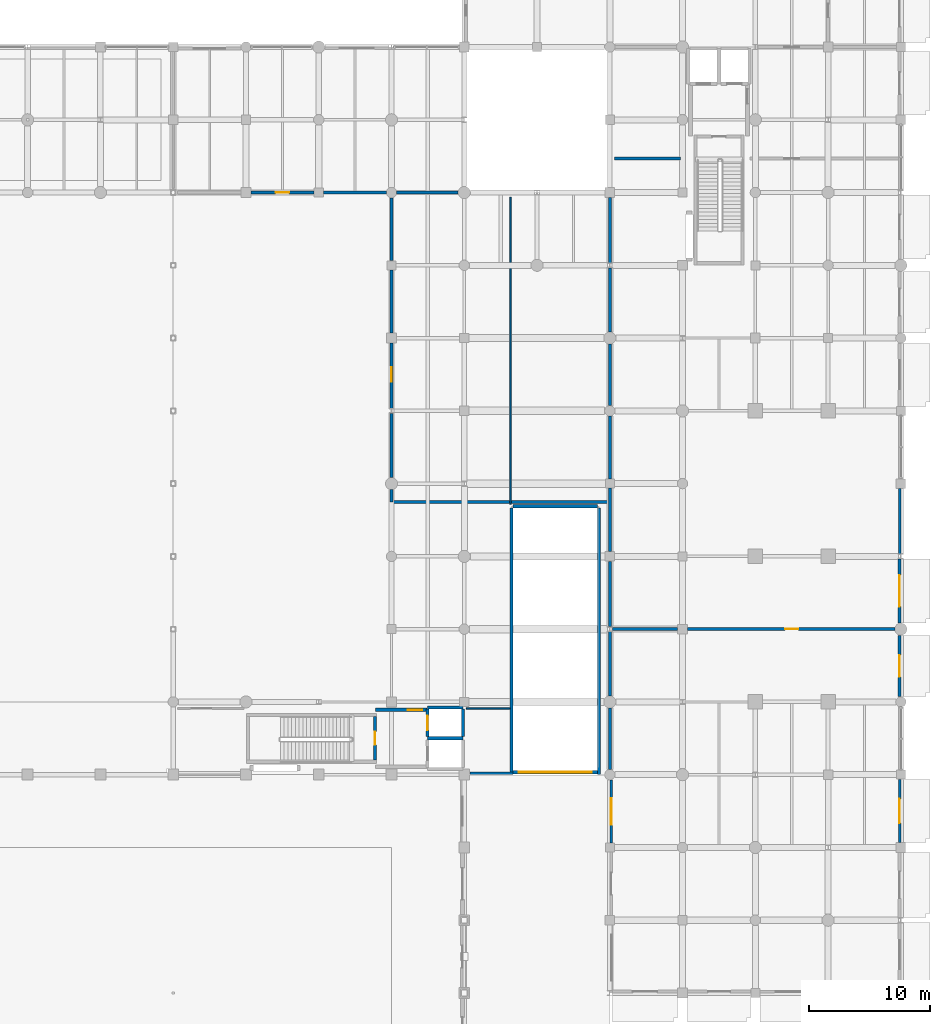
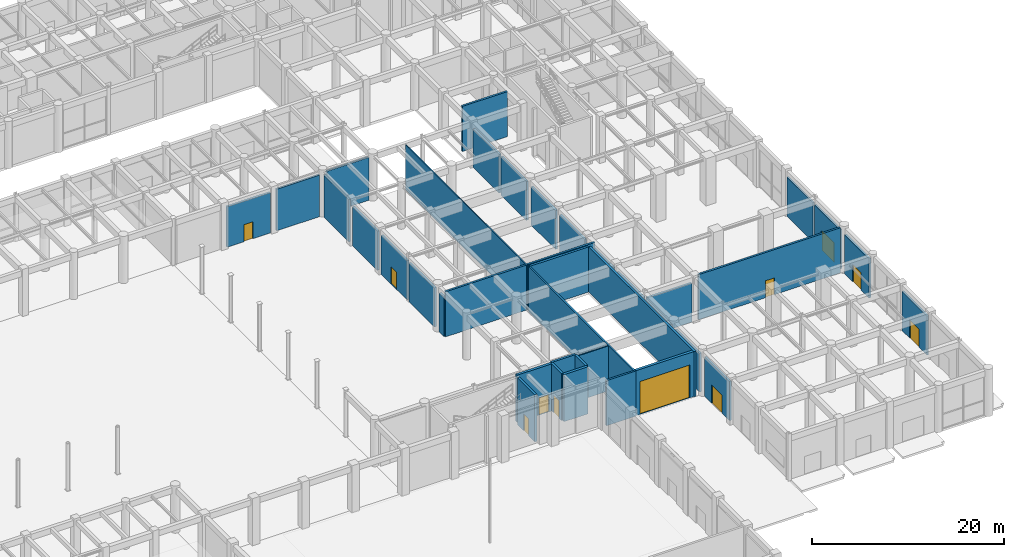
# One storey, part 88 of 106: 38 walls, 11 doors, 11 openings.
"""IFC4 building model written with IfcOpenShell, lengths in metres."""

from ifc_helpers import new_model, si_unit, direction, frame, frame_2d, origin, place, context, subcontext, project, spatial, rectangle, extrude, material, layer, layer_set, type_object, element, fill, save


model = new_model("IFC4")

# Units and contexts
model_context = context("Model", 3, precision=1e-05, world=origin(), true_north=direction((0.0, 1.0)))
body_context = subcontext(model_context, "Body", "Model", "MODEL_VIEW")
ifc_project = project(units=[si_unit("LENGTHUNIT", "METRE"), si_unit("AREAUNIT", "SQUARE_METRE"), si_unit("VOLUMEUNIT", "CUBIC_METRE"), si_unit("PLANEANGLEUNIT", "RADIAN"), si_unit("MASSUNIT", "GRAM", prefix="KILO"), si_unit("THERMODYNAMICTEMPERATUREUNIT", "KELVIN"), si_unit("POWERUNIT", "WATT")], contexts=[model_context])

# Site, building, storey
site_placement = place(None, origin())
site = spatial("IfcSite", under=ifc_project, at=site_placement, CompositionType="ELEMENT")
building_placement = place(site_placement, origin())
building = spatial("IfcBuilding", under=site, at=building_placement, Name="Phaisarnlok Congress Hotel", CompositionType="ELEMENT")
storey_placement = place(building_placement, origin())
storey = spatial("IfcBuildingStorey", under=building, at=storey_placement, Name="L00", CompositionType="ELEMENT", Elevation=0.0)

# Wall
ifc_material_1 = material(Name="Concrete C40/50", Category="concrete")
ifc_layer_1 = layer(ifc_material_1, 0.2099609375, Name="Concrete C40/50")
ifc_layer_set_1 = layer_set([ifc_layer_1], Name="Concrete C40/50")
wall_type_1 = type_object("IfcWallType", Name="WL-EXT-210", PredefinedType="SOLIDWALL", material=ifc_layer_set_1)
wall_1_placement = place(storey_placement, frame((147.89501953125, 36.0, 0.0), z_axis=(0.0, 0.0, 1.0), x_axis=(0.0, 1.0, 0.0)))
element("IfcWall", 1, at=wall_1_placement, inside=storey, type_object=wall_type_1, Name="Exterior wall EW-07 (L00)", PredefinedType="SOLIDWALL", context=body_context, shape_type="SweptSolid", body=[
    extrude(rectangle(XDim=22.0, YDim=0.2099609375, at=frame_2d((11.0, 0.0))), origin(), (0.0, 0.0, 1.0), 5.739990234375),
])

# Wall, opening, door
wall_2_placement = place(storey_placement, frame((179.89501953125, 30.405029296875, 0.0), z_axis=(0.0, 0.0, 1.0), x_axis=(0.0, 1.0, 0.0)))
wall_2 = element("IfcWall", 2, at=wall_2_placement, inside=storey, type_object=wall_type_1, Name="Exterior wall EW-07 (L00)", PredefinedType="SOLIDWALL", context=body_context, shape_type="SweptSolid", body=[
    extrude(rectangle(XDim=5.215087890625, YDim=0.2099609375, at=frame_2d((2.607421875, 0.0))), origin(), (0.0, 0.0, 1.0), 4.989990234375),
])
opening_1_placement = place(wall_2_placement, frame((1.60693359375, 0.0, 0.0)))
opening_1 = element("IfcOpeningElement", 3, at=opening_1_placement, cuts=wall_2, Name="Opening FE-21", PredefinedType="OPENING", context=body_context, shape_type="SweptSolid", body=[
    extrude(rectangle(XDim=2.0, YDim=2.300048828125, at=frame_2d((1.0, 1.14990234375))), frame((0.0, 0.114990234375, 0.0), z_axis=(0.0, -1.0, 0.0), x_axis=(1.0, 0.0, 0.0)), (0.0, 0.0, 1.0), 0.22998046875),
])
ifc_material_2 = material(Name="Powder-Coated Steel & Laminated Safety Glass", Category="steel")
door_type_1 = type_object("IfcDoorType", Name="DR-EXIT-2000", OperationType="DOUBLE_DOOR_SINGLE_SWING", PredefinedType="DOOR", material=ifc_material_2)
door_1_placement = place(opening_1_placement, frame((2.0, 0.0, 0.0), z_axis=(0.0, 0.0, 1.0), x_axis=(-1.0, 0.0, 0.0)))
door_1 = element("IfcDoor", 4, at=door_1_placement, inside=storey, type_object=door_type_1, Name="Ground final exit door FE-21", OperationType="SINGLE_SWING_LEFT", OverallHeight=2.300048828125, OverallWidth=2.0, PredefinedType="DOOR", context=body_context, shape_type="SweptSolid", body=[
    extrude(rectangle(XDim=2.0, YDim=2.300048828125, at=frame_2d((1.0, 1.14990234375))), frame((0.0, 0.02490234375, 0.0), z_axis=(0.0, -1.0, 0.0), x_axis=(1.0, 0.0, 0.0)), (0.0, 0.0, 1.0), 0.050048828125),
])
fill(opening_1, door_1)

# Walls
wall_3_placement = place(storey_placement, frame((179.89501953125, 54.20458984375, 0.0), z_axis=(0.0, 0.0, 1.0), x_axis=(0.0, 1.0, 0.0)))
element("IfcWall", 5, at=wall_3_placement, inside=storey, type_object=wall_type_1, Name="Exterior wall EW-07 (L00)", PredefinedType="SOLIDWALL", context=body_context, shape_type="SweptSolid", body=[
    extrude(rectangle(XDim=5.390380859375, YDim=0.2099609375, at=frame_2d((2.6953125, 0.0))), origin(), (0.0, 0.0, 1.0), 4.989990234375),
])
ifc_layer_2 = layer(ifc_material_1, 0.22998046875, Name="Concrete C40/50")
ifc_layer_set_2 = layer_set([ifc_layer_2], Name="Concrete C40/50")
wall_type_2 = type_object("IfcWallType", Name="WL-EXT-230", PredefinedType="SOLIDWALL", material=ifc_layer_set_2)
wall_4_placement = place(storey_placement, frame((144.455078125, 36.114990234375, 0.0), z_axis=(0.0, 0.0, 1.0), x_axis=(1.0, 0.0, 0.0)))
element("IfcWall", 6, at=wall_4_placement, inside=storey, type_object=wall_type_2, Name="Exterior wall EW-06 (L00)", PredefinedType="SOLIDWALL", context=body_context, shape_type="SweptSolid", body=[
    extrude(rectangle(XDim=3.544921875, YDim=0.22998046875, at=frame_2d((1.7724609375, 0.0))), origin(), (0.0, 0.0, 1.0), 5.739990234375),
])

# Wall, opening, door
wall_5_placement = place(storey_placement, frame((156.114990234375, 35.570068359375, 0.0), z_axis=(0.0, 0.0, 1.0), x_axis=(0.0, -1.0, 0.0)))
wall_5 = element("IfcWall", 7, at=wall_5_placement, inside=storey, type_object=wall_type_2, Name="Exterior wall EW-06 (L00)", PredefinedType="SOLIDWALL", context=body_context, shape_type="SweptSolid", body=[
    extrude(rectangle(XDim=5.190185546875, YDim=0.22998046875, at=frame_2d((2.59521484375, 0.0))), origin(), (0.0, 0.0, 1.0), 5.010009765625),
])
opening_2_placement = place(wall_5_placement, frame((1.4951171875, 0.0, 0.0)))
opening_2 = element("IfcOpeningElement", 8, at=opening_2_placement, cuts=wall_5, Name="Opening FE-15", PredefinedType="OPENING", context=body_context, shape_type="SweptSolid", body=[
    extrude(rectangle(XDim=2.199951171875, YDim=2.35009765625, at=frame_2d((1.10009765625, 1.175048828125))), frame((0.0, 0.125, 0.0), z_axis=(0.0, -1.0, 0.0), x_axis=(1.0, 0.0, 0.0)), (0.0, 0.0, 1.0), 0.25),
])
door_type_2 = type_object("IfcDoorType", Name="DR-EXIT-2200", OperationType="DOUBLE_DOOR_SINGLE_SWING", PredefinedType="DOOR", material=ifc_material_2)
door_2_placement = place(opening_2_placement, frame((2.199951171875, 0.0, 0.0), z_axis=(0.0, 0.0, 1.0), x_axis=(-1.0, 0.0, 0.0)))
door_2 = element("IfcDoor", 9, at=door_2_placement, inside=storey, type_object=door_type_2, Name="Ground final exit door FE-15", OperationType="SINGLE_SWING_LEFT", OverallHeight=2.35009765625, OverallWidth=2.199951171875, PredefinedType="DOOR", context=body_context, shape_type="SweptSolid", body=[
    extrude(rectangle(XDim=2.199951171875, YDim=2.35009765625, at=frame_2d((1.10009765625, 1.175048828125))), frame((0.0, 0.02490234375, 0.0), z_axis=(0.0, -1.0, 0.0), x_axis=(1.0, 0.0, 0.0)), (0.0, 0.0, 1.0), 0.050048828125),
])
fill(opening_2, door_2)

wall_6_placement = place(storey_placement, frame((179.885009765625, 48.5048828125, 0.0), z_axis=(0.0, 0.0, 1.0), x_axis=(0.0, 1.0, 0.0)))
wall_6 = element("IfcWall", 10, at=wall_6_placement, inside=storey, type_object=wall_type_2, Name="Exterior wall EW-06 (L00)", PredefinedType="SOLIDWALL", context=body_context, shape_type="SweptSolid", body=[
    extrude(rectangle(XDim=5.29052734375, YDim=0.22998046875, at=frame_2d((2.645263671875, 0.0))), origin(), (0.0, 0.0, 1.0), 4.989990234375),
])
opening_3_placement = place(wall_6_placement, frame((1.344970703125, 0.0, 0.0)))
opening_3 = element("IfcOpeningElement", 11, at=opening_3_placement, cuts=wall_6, Name="Opening FE-23", PredefinedType="OPENING", context=body_context, shape_type="SweptSolid", body=[
    extrude(rectangle(XDim=2.60009765625, YDim=2.5, at=frame_2d((1.300048828125, 1.25))), frame((0.0, 0.125, 0.0), z_axis=(0.0, -1.0, 0.0), x_axis=(1.0, 0.0, 0.0)), (0.0, 0.0, 1.0), 0.25),
])
door_type_3 = type_object("IfcDoorType", Name="DR-ENTR-2600", OperationType="DOUBLE_DOOR_SLIDING", PredefinedType="DOOR", material=ifc_material_2)
door_3_placement = place(opening_3_placement, frame((2.60009765625, 0.0, 0.0), z_axis=(0.0, 0.0, 1.0), x_axis=(-1.0, 0.0, 0.0)))
door_3 = element("IfcDoor", 12, at=door_3_placement, inside=storey, type_object=door_type_3, Name="Ground final exit door FE-23", OperationType="SINGLE_SWING_LEFT", OverallHeight=2.5, OverallWidth=2.60009765625, PredefinedType="DOOR", context=body_context, shape_type="SweptSolid", body=[
    extrude(rectangle(XDim=2.60009765625, YDim=2.5, at=frame_2d((1.300048828125, 1.25))), frame((0.0, 0.02490234375, 0.0), z_axis=(0.0, -1.0, 0.0), x_axis=(1.0, 0.0, 0.0)), (0.0, 0.0, 1.0), 0.050048828125),
])
fill(opening_3, door_3)

# Wall
ifc_layer_3 = layer(ifc_material_1, 0.25, Name="Concrete C40/50")
ifc_layer_set_3 = layer_set([ifc_layer_3], Name="Concrete C40/50")
wall_type_3 = type_object("IfcWallType", Name="WL-EXT-250", PredefinedType="SOLIDWALL", material=ifc_layer_set_3)
wall_7_placement = place(storey_placement, frame((155.125, 58.0, 0.0), z_axis=(0.0, 0.0, 1.0), x_axis=(0.0, -1.0, 0.0)))
element("IfcWall", 13, at=wall_7_placement, inside=storey, type_object=wall_type_3, Name="Exterior wall EW-05 (L00)", PredefinedType="SOLIDWALL", context=body_context, shape_type="SweptSolid", body=[
    extrude(rectangle(XDim=22.0, YDim=0.25, at=frame_2d((11.0, 0.0))), origin(), (0.0, 0.0, 1.0), 5.739990234375),
])

# Wall, opening, door
wall_8_placement = place(storey_placement, frame((179.875, 42.429931640625, 0.0), z_axis=(0.0, 0.0, 1.0), x_axis=(0.0, 1.0, 0.0)))
wall_8 = element("IfcWall", 14, at=wall_8_placement, inside=storey, type_object=wall_type_3, Name="Exterior wall EW-05 (L00)", PredefinedType="SOLIDWALL", context=body_context, shape_type="SweptSolid", body=[
    extrude(rectangle(XDim=5.065185546875, YDim=0.25, at=frame_2d((2.53271484375, 0.0))), origin(), (0.0, 0.0, 1.0), 4.989990234375),
])
opening_4_placement = place(wall_8_placement, frame((1.632080078125, 0.0, 0.0)))
opening_4 = element("IfcOpeningElement", 15, at=opening_4_placement, cuts=wall_8, Name="Opening FE-22", PredefinedType="OPENING", context=body_context, shape_type="SweptSolid", body=[
    extrude(rectangle(XDim=1.800048828125, YDim=2.25, at=frame_2d((0.89990234375, 1.125))), frame((0.0, 0.135009765625, 0.0), z_axis=(0.0, -1.0, 0.0), x_axis=(1.0, 0.0, 0.0)), (0.0, 0.0, 1.0), 0.27001953125),
])
door_type_4 = type_object("IfcDoorType", Name="DR-EXIT-1800", OperationType="DOUBLE_DOOR_SINGLE_SWING", PredefinedType="DOOR", material=ifc_material_2)
door_4_placement = place(opening_4_placement, frame((1.800048828125, 0.0, 0.0), z_axis=(0.0, 0.0, 1.0), x_axis=(-1.0, 0.0, 0.0)))
door_4 = element("IfcDoor", 16, at=door_4_placement, inside=storey, type_object=door_type_4, Name="Ground final exit door FE-22", OperationType="SINGLE_SWING_LEFT", OverallHeight=2.25, OverallWidth=1.800048828125, PredefinedType="DOOR", context=body_context, shape_type="SweptSolid", body=[
    extrude(rectangle(XDim=1.800048828125, YDim=2.25, at=frame_2d((0.89990234375, 1.125))), frame((0.0, 0.02490234375, 0.0), z_axis=(0.0, -1.0, 0.0), x_axis=(1.0, 0.0, 0.0)), (0.0, 0.0, 1.0), 0.050048828125),
])
fill(opening_4, door_4)

# Wall
ifc_layer_4 = layer(ifc_material_1, 0.27001953125, Name="Concrete C40/50")
ifc_layer_set_4 = layer_set([ifc_layer_4], Name="Concrete C40/50")
wall_type_4 = type_object("IfcWallType", Name="WL-EXT-270", PredefinedType="SOLIDWALL", material=ifc_layer_set_4)
wall_9_placement = place(storey_placement, frame((148.0, 58.135009765625, 0.0), z_axis=(0.0, 0.0, 1.0), x_axis=(1.0, 0.0, 0.0)))
element("IfcWall", 17, at=wall_9_placement, inside=storey, type_object=wall_type_4, Name="Exterior wall EW-04 (L00)", PredefinedType="SOLIDWALL", context=body_context, shape_type="SweptSolid", body=[
    extrude(rectangle(XDim=7.0, YDim=0.27001953125, at=frame_2d((3.5, 0.0))), origin(), (0.0, 0.0, 1.0), 5.739990234375),
])

# Wall, opening, door
ifc_layer_5 = layer(ifc_material_1, 0.320068359375, Name="Concrete C40/50")
ifc_layer_set_5 = layer_set([ifc_layer_5], Name="Concrete C40/50")
wall_type_5 = type_object("IfcWallType", Name="WL-EXT-320", PredefinedType="SOLIDWALL", material=ifc_layer_set_5)
wall_10_placement = place(storey_placement, frame((155.0, 36.199951171875, 0.0), z_axis=(0.0, 0.0, 1.0), x_axis=(-1.0, 0.0, 0.0)))
wall_10 = element("IfcWall", 18, at=wall_10_placement, inside=storey, type_object=wall_type_5, Name="Vehicle ramp portal exterior wall EW-02", PredefinedType="SOLIDWALL", context=body_context, shape_type="SweptSolid", body=[
    extrude(rectangle(XDim=7.0, YDim=0.320068359375, at=frame_2d((3.5, 0.0))), origin(), (0.0, 0.0, 1.0), 5.739990234375),
])
opening_5_placement = place(wall_10_placement, frame((0.5, 0.0, 0.0)))
opening_5 = element("IfcOpeningElement", 19, at=opening_5_placement, cuts=wall_10, Name="Opening VG-01", PredefinedType="OPENING", context=body_context, shape_type="SweptSolid", body=[
    extrude(rectangle(XDim=6.0, YDim=4.199951171875, at=frame_2d((3.0, 2.10009765625))), frame((0.0, 0.169921875, 0.0), z_axis=(0.0, -1.0, 0.0), x_axis=(1.0, 0.0, 0.0)), (0.0, 0.0, 1.0), 0.340087890625),
])
ifc_material_3 = material(Name="Powder-Coated Galvanised Roller Shutter Slats", Category="steel")
door_type_5 = type_object("IfcDoorType", Name="DR-VEH-6000", OperationType="ROLLINGUP", PredefinedType="DOOR", material=ifc_material_3)
door_5_placement = place(opening_5_placement, frame((6.0, 0.0, 0.0), z_axis=(0.0, 0.0, 1.0), x_axis=(-1.0, 0.0, 0.0)))
door_5 = element("IfcDoor", 20, at=door_5_placement, inside=storey, type_object=door_type_5, Name="Vehicle ramp roller shutter gate VG-01", OperationType="ROLLINGUP", OverallHeight=4.199951171875, OverallWidth=6.0, PredefinedType="DOOR", context=body_context, shape_type="SweptSolid", body=[
    extrude(rectangle(XDim=6.0, YDim=4.199951171875, at=frame_2d((3.0, 2.10009765625))), frame((0.0, 0.02490234375, 0.0), z_axis=(0.0, -1.0, 0.0), x_axis=(1.0, 0.0, 0.0)), (0.0, 0.0, 1.0), 0.050048828125),
])
fill(opening_5, door_5)

# Walls
ifc_material_4 = material(Name="Lightweight Metal-Stud Gypsum Partition", Category="gypsum")
ifc_layer_6 = layer(ifc_material_4, 0.1201171875, Name="Lightweight Metal-Stud Gypsum Partition")
ifc_layer_set_6 = layer_set([ifc_layer_6], Name="Lightweight Metal-Stud Gypsum Partition")
wall_type_6 = type_object("IfcWallType", Name="WL-INT-120", PredefinedType="PARTITIONING", material=ifc_layer_set_6)
wall_11_placement = place(storey_placement, frame((147.800048828125, 58.31103515625, 0.0), z_axis=(0.0, 0.0, 1.0), x_axis=(0.0, 1.0, 0.0)))
element("IfcWall", 21, at=wall_11_placement, inside=storey, type_object=wall_type_6, Name="Interior partition wall IW-07 (L00)", PredefinedType="PARTITIONING", context=body_context, shape_type="SweptSolid", body=[
    extrude(rectangle(XDim=25.31884765625, YDim=0.1201171875, at=frame_2d((12.659423828125, 0.0))), origin(), (0.0, 0.0, 1.0), 5.739990234375),
])
ifc_material_5 = material(Name="Moisture-Resistant Gypsum Partition", Category="gypsum")
ifc_layer_7 = layer(ifc_material_5, 0.135009765625, Name="Moisture-Resistant Gypsum Partition")
ifc_layer_set_7 = layer_set([ifc_layer_7], Name="Moisture-Resistant Gypsum Partition")
wall_type_7 = type_object("IfcWallType", Name="WL-INT-135", PredefinedType="PARTITIONING", material=ifc_layer_set_7)
wall_12_placement = place(storey_placement, frame((144.179931640625, 41.449951171875, 0.0), z_axis=(0.0, 0.0, 1.0), x_axis=(1.0, 0.0, 0.0)))
element("IfcWall", 22, at=wall_12_placement, inside=storey, type_object=wall_type_7, Name="Interior partition wall IW-06 (L00)", PredefinedType="PARTITIONING", context=body_context, shape_type="SweptSolid", body=[
    extrude(rectangle(XDim=3.60498046875, YDim=0.135009765625, at=frame_2d((1.802490234375, 0.0))), origin(), (0.0, 0.0, 1.0), 5.739990234375),
])
ifc_layer_8 = layer(ifc_material_1, 0.239990234375, Name="Concrete C40/50")
ifc_layer_set_8 = layer_set([ifc_layer_8], Name="Concrete C40/50")
wall_type_8 = type_object("IfcWallType", Name="WL-INT-240", PredefinedType="PARTITIONING", material=ifc_layer_set_8)
wall_13_placement = place(storey_placement, frame((138.0, 58.5, 0.0), z_axis=(0.0, 0.0, 1.0), x_axis=(0.0, 1.0, 0.0)))
element("IfcWall", 23, at=wall_13_placement, inside=storey, type_object=wall_type_8, Name="Interior partition wall IW-01 (L00)", PredefinedType="PARTITIONING", context=body_context, shape_type="SweptSolid", body=[
    extrude(rectangle(XDim=0.9951171875, YDim=0.239990234375, at=frame_2d((0.49755859375, 0.0))), origin(), (0.0, 0.0, 1.0), 4.989990234375),
])
wall_14_placement = place(storey_placement, frame((138.0, 60.5048828125, 0.0), z_axis=(0.0, 0.0, 1.0), x_axis=(0.0, 1.0, 0.0)))
element("IfcWall", 24, at=wall_14_placement, inside=storey, type_object=wall_type_8, Name="Interior partition wall IW-01 (L00)", PredefinedType="PARTITIONING", context=body_context, shape_type="SweptSolid", body=[
    extrude(rectangle(XDim=5.29052734375, YDim=0.239990234375, at=frame_2d((2.645263671875, 0.0))), origin(), (0.0, 0.0, 1.0), 4.989990234375),
])

# Wall, opening, door
wall_15_placement = place(storey_placement, frame((138.0, 66.20458984375, 0.0), z_axis=(0.0, 0.0, 1.0), x_axis=(0.0, 1.0, 0.0)))
wall_15 = element("IfcWall", 25, at=wall_15_placement, inside=storey, type_object=wall_type_8, Name="Interior partition wall IW-01 (L00)", PredefinedType="PARTITIONING", context=body_context, shape_type="SweptSolid", body=[
    extrude(rectangle(XDim=5.390380859375, YDim=0.239990234375, at=frame_2d((2.6953125, 0.0))), origin(), (0.0, 0.0, 1.0), 4.989990234375),
])
opening_6_placement = place(wall_15_placement, frame((2.196044921875, 0.0, 0.0)))
opening_6 = element("IfcOpeningElement", 26, at=opening_6_placement, cuts=wall_15, Name="Opening D-0038", PredefinedType="OPENING", context=body_context, shape_type="SweptSolid", body=[
    extrude(rectangle(XDim=1.199951171875, YDim=2.199951171875, at=frame_2d((0.60009765625, 1.10009765625))), frame((0.0, 0.1298828125, 0.0), z_axis=(0.0, -1.0, 0.0), x_axis=(1.0, 0.0, 0.0)), (0.0, 0.0, 1.0), 0.260009765625),
])
ifc_material_6 = material(Name="Fire-Rated Steel Frame & Timber Leaf", Category="steel")
door_type_6 = type_object("IfcDoorType", Name="DR-FD60-1200", OperationType="NOTDEFINED", PredefinedType="DOOR", material=ifc_material_6)
door_6_placement = place(opening_6_placement, origin())
door_6 = element("IfcDoor", 27, at=door_6_placement, inside=storey, type_object=door_type_6, Name="Interior door D-0038 (L00)", OperationType="SINGLE_SWING_LEFT", OverallHeight=2.199951171875, OverallWidth=1.199951171875, PredefinedType="DOOR", context=body_context, shape_type="SweptSolid", body=[
    extrude(rectangle(XDim=1.199951171875, YDim=2.199951171875, at=frame_2d((0.60009765625, 1.10009765625))), frame((0.0, 0.02490234375, 0.0), z_axis=(0.0, -1.0, 0.0), x_axis=(1.0, 0.0, 0.0)), (0.0, 0.0, 1.0), 0.050048828125),
])
fill(opening_6, door_6)

# Walls
wall_16_placement = place(storey_placement, frame((138.0, 72.405029296875, 0.0), z_axis=(0.0, 0.0, 1.0), x_axis=(0.0, 1.0, 0.0)))
element("IfcWall", 28, at=wall_16_placement, inside=storey, type_object=wall_type_8, Name="Interior partition wall IW-01 (L00)", PredefinedType="PARTITIONING", context=body_context, shape_type="SweptSolid", body=[
    extrude(rectangle(XDim=5.215087890625, YDim=0.239990234375, at=frame_2d((2.607421875, 0.0))), origin(), (0.0, 0.0, 1.0), 4.989990234375),
])
wall_17_placement = place(storey_placement, frame((138.0, 78.3798828125, 0.0), z_axis=(0.0, 0.0, 1.0), x_axis=(0.0, 1.0, 0.0)))
element("IfcWall", 29, at=wall_17_placement, inside=storey, type_object=wall_type_8, Name="Interior partition wall IW-01 (L00)", PredefinedType="PARTITIONING", context=body_context, shape_type="SweptSolid", body=[
    extrude(rectangle(XDim=5.190185546875, YDim=0.239990234375, at=frame_2d((2.59521484375, 0.0))), origin(), (0.0, 0.0, 1.0), 5.39990234375),
])
wall_18_placement = place(storey_placement, frame((156.0, 36.429931640625, 0.0), z_axis=(0.0, 0.0, 1.0), x_axis=(0.0, 1.0, 0.0)))
element("IfcWall", 30, at=wall_18_placement, inside=storey, type_object=wall_type_8, Name="Interior partition wall IW-01 (L00)", PredefinedType="PARTITIONING", context=body_context, shape_type="SweptSolid", body=[
    extrude(rectangle(XDim=5.065185546875, YDim=0.239990234375, at=frame_2d((2.53271484375, 0.0))), origin(), (0.0, 0.0, 1.0), 4.93994140625),
])
wall_19_placement = place(storey_placement, frame((156.0, 42.5048828125, 0.0), z_axis=(0.0, 0.0, 1.0), x_axis=(0.0, 1.0, 0.0)))
element("IfcWall", 31, at=wall_19_placement, inside=storey, type_object=wall_type_8, Name="Interior partition wall IW-01 (L00)", PredefinedType="PARTITIONING", context=body_context, shape_type="SweptSolid", body=[
    extrude(rectangle(XDim=5.29052734375, YDim=0.239990234375, at=frame_2d((2.645263671875, 0.0))), origin(), (0.0, 0.0, 1.0), 4.93994140625),
])
wall_20_placement = place(storey_placement, frame((156.0, 48.20458984375, 0.0), z_axis=(0.0, 0.0, 1.0), x_axis=(0.0, 1.0, 0.0)))
element("IfcWall", 32, at=wall_20_placement, inside=storey, type_object=wall_type_8, Name="Interior partition wall IW-01 (L00)", PredefinedType="PARTITIONING", context=body_context, shape_type="SweptSolid", body=[
    extrude(rectangle(XDim=5.390380859375, YDim=0.239990234375, at=frame_2d((2.6953125, 0.0))), origin(), (0.0, 0.0, 1.0), 4.93994140625),
])
wall_21_placement = place(storey_placement, frame((156.0, 54.405029296875, 0.0), z_axis=(0.0, 0.0, 1.0), x_axis=(0.0, 1.0, 0.0)))
element("IfcWall", 33, at=wall_21_placement, inside=storey, type_object=wall_type_8, Name="Interior partition wall IW-01 (L00)", PredefinedType="PARTITIONING", context=body_context, shape_type="SweptSolid", body=[
    extrude(rectangle(XDim=5.215087890625, YDim=0.239990234375, at=frame_2d((2.607421875, 0.0))), origin(), (0.0, 0.0, 1.0), 4.93994140625),
])
wall_22_placement = place(storey_placement, frame((156.0, 60.3798828125, 0.0), z_axis=(0.0, 0.0, 1.0), x_axis=(0.0, 1.0, 0.0)))
element("IfcWall", 34, at=wall_22_placement, inside=storey, type_object=wall_type_8, Name="Interior partition wall IW-01 (L00)", PredefinedType="PARTITIONING", context=body_context, shape_type="SweptSolid", body=[
    extrude(rectangle(XDim=5.190185546875, YDim=0.239990234375, at=frame_2d((2.59521484375, 0.0))), origin(), (0.0, 0.0, 1.0), 4.93994140625),
])
wall_23_placement = place(storey_placement, frame((156.0, 66.429931640625, 0.0), z_axis=(0.0, 0.0, 1.0), x_axis=(0.0, 1.0, 0.0)))
element("IfcWall", 35, at=wall_23_placement, inside=storey, type_object=wall_type_8, Name="Interior partition wall IW-01 (L00)", PredefinedType="PARTITIONING", context=body_context, shape_type="SweptSolid", body=[
    extrude(rectangle(XDim=5.065185546875, YDim=0.239990234375, at=frame_2d((2.53271484375, 0.0))), origin(), (0.0, 0.0, 1.0), 4.93994140625),
])
wall_24_placement = place(storey_placement, frame((156.0, 72.5048828125, 0.0), z_axis=(0.0, 0.0, 1.0), x_axis=(0.0, 1.0, 0.0)))
element("IfcWall", 36, at=wall_24_placement, inside=storey, type_object=wall_type_8, Name="Interior partition wall IW-01 (L00)", PredefinedType="PARTITIONING", context=body_context, shape_type="SweptSolid", body=[
    extrude(rectangle(XDim=5.29052734375, YDim=0.239990234375, at=frame_2d((2.645263671875, 0.0))), origin(), (0.0, 0.0, 1.0), 4.93994140625),
])
wall_25_placement = place(storey_placement, frame((156.0, 78.20458984375, 0.0), z_axis=(0.0, 0.0, 1.0), x_axis=(0.0, 1.0, 0.0)))
element("IfcWall", 37, at=wall_25_placement, inside=storey, type_object=wall_type_8, Name="Interior partition wall IW-01 (L00)", PredefinedType="PARTITIONING", context=body_context, shape_type="SweptSolid", body=[
    extrude(rectangle(XDim=5.390380859375, YDim=0.239990234375, at=frame_2d((2.6953125, 0.0))), origin(), (0.0, 0.0, 1.0), 4.93994140625),
])
wall_26_placement = place(storey_placement, frame((156.20556640625, 48.0, 0.0), z_axis=(0.0, 0.0, 1.0), x_axis=(1.0, 0.0, 0.0)))
element("IfcWall", 38, at=wall_26_placement, inside=storey, type_object=wall_type_8, Name="Interior partition wall IW-01 (L00)", PredefinedType="PARTITIONING", context=body_context, shape_type="SweptSolid", body=[
    extrude(rectangle(XDim=5.389404296875, YDim=0.239990234375, at=frame_2d((2.69482421875, 0.0))), origin(), (0.0, 0.0, 1.0), 4.9599609375),
])

# Wall, opening, door
wall_27_placement = place(storey_placement, frame((162.405029296875, 48.0, 0.0), z_axis=(0.0, 0.0, 1.0), x_axis=(1.0, 0.0, 0.0)))
wall_27 = element("IfcWall", 39, at=wall_27_placement, inside=storey, type_object=wall_type_8, Name="Interior partition wall IW-01 (L00)", PredefinedType="PARTITIONING", context=body_context, shape_type="SweptSolid", body=[
    extrude(rectangle(XDim=17.090087890625, YDim=0.239990234375, at=frame_2d((8.544921875, 0.0))), origin(), (0.0, 0.0, 1.0), 5.739990234375),
])
opening_7_placement = place(wall_27_placement, frame((8.044921875, 0.0, 0.0)))
opening_7 = element("IfcOpeningElement", 40, at=opening_7_placement, cuts=wall_27, Name="Opening D-0042", PredefinedType="OPENING", context=body_context, shape_type="SweptSolid", body=[
    extrude(rectangle(XDim=1.10009765625, YDim=2.14990234375, at=frame_2d((0.550048828125, 1.074951171875))), frame((0.0, 0.1298828125, 0.0), z_axis=(0.0, -1.0, 0.0), x_axis=(1.0, 0.0, 0.0)), (0.0, 0.0, 1.0), 0.260009765625),
])
door_type_7 = type_object("IfcDoorType", Name="DR-FD60-1100", OperationType="NOTDEFINED", PredefinedType="DOOR", material=ifc_material_6)
door_7_placement = place(opening_7_placement, origin())
door_7 = element("IfcDoor", 41, at=door_7_placement, inside=storey, type_object=door_type_7, Name="Interior door D-0042 (L00)", OperationType="SINGLE_SWING_RIGHT", OverallHeight=2.14990234375, OverallWidth=1.10009765625, PredefinedType="DOOR", context=body_context, shape_type="SweptSolid", body=[
    extrude(rectangle(XDim=1.10009765625, YDim=2.14990234375, at=frame_2d((0.550048828125, 1.074951171875))), frame((0.0, 0.02490234375, 0.0), z_axis=(0.0, -1.0, 0.0), x_axis=(1.0, 0.0, 0.0)), (0.0, 0.0, 1.0), 0.050048828125),
])
fill(opening_7, door_7)

# Wall
wall_28_placement = place(storey_placement, frame((138.0, 58.5, 0.0), z_axis=(0.0, 0.0, 1.0), x_axis=(1.0, 0.0, 0.0)))
element("IfcWall", 42, at=wall_28_placement, inside=storey, type_object=wall_type_8, Name="Interior partition wall IW-01 (L00)", PredefinedType="PARTITIONING", context=body_context, shape_type="SweptSolid", body=[
    extrude(rectangle(XDim=18.0, YDim=0.239990234375, at=frame_2d((9.0, 0.0))), origin(), (0.0, 0.0, 1.0), 5.739990234375),
])

# Wall, opening, door
wall_29_placement = place(storey_placement, frame((126.405029296875, 84.0, 0.0), z_axis=(0.0, 0.0, 1.0), x_axis=(1.0, 0.0, 0.0)))
wall_29 = element("IfcWall", 43, at=wall_29_placement, inside=storey, type_object=wall_type_8, Name="Interior partition wall IW-01 (L00)", PredefinedType="PARTITIONING", context=body_context, shape_type="SweptSolid", body=[
    extrude(rectangle(XDim=5.215087890625, YDim=0.239990234375, at=frame_2d((2.607421875, 0.0))), origin(), (0.0, 0.0, 1.0), 5.139892578125),
])
opening_8_placement = place(wall_29_placement, frame((2.044921875, 0.0, 0.0)))
opening_8 = element("IfcOpeningElement", 44, at=opening_8_placement, cuts=wall_29, Name="Opening D-0037", PredefinedType="OPENING", context=body_context, shape_type="SweptSolid", body=[
    extrude(rectangle(XDim=1.10009765625, YDim=2.14990234375, at=frame_2d((0.550048828125, 1.074951171875))), frame((0.0, 0.1298828125, 0.0), z_axis=(0.0, -1.0, 0.0), x_axis=(1.0, 0.0, 0.0)), (0.0, 0.0, 1.0), 0.260009765625),
])
door_8_placement = place(opening_8_placement, origin())
door_8 = element("IfcDoor", 45, at=door_8_placement, inside=storey, type_object=door_type_7, Name="Interior door D-0037 (L00)", OperationType="SINGLE_SWING_RIGHT", OverallHeight=2.14990234375, OverallWidth=1.10009765625, PredefinedType="DOOR", context=body_context, shape_type="SweptSolid", body=[
    extrude(rectangle(XDim=1.10009765625, YDim=2.14990234375, at=frame_2d((0.550048828125, 1.074951171875))), frame((0.0, 0.02490234375, 0.0), z_axis=(0.0, -1.0, 0.0), x_axis=(1.0, 0.0, 0.0)), (0.0, 0.0, 1.0), 0.050048828125),
])
fill(opening_8, door_8)

# Walls
wall_30_placement = place(storey_placement, frame((132.3798828125, 84.0, 0.0), z_axis=(0.0, 0.0, 1.0), x_axis=(1.0, 0.0, 0.0)))
element("IfcWall", 46, at=wall_30_placement, inside=storey, type_object=wall_type_8, Name="Interior partition wall IW-01 (L00)", PredefinedType="PARTITIONING", context=body_context, shape_type="SweptSolid", body=[
    extrude(rectangle(XDim=5.190185546875, YDim=0.239990234375, at=frame_2d((2.59521484375, 0.0))), origin(), (0.0, 0.0, 1.0), 5.2900390625),
])
wall_31_placement = place(storey_placement, frame((138.429931640625, 84.0, 0.0), z_axis=(0.0, 0.0, 1.0), x_axis=(1.0, 0.0, 0.0)))
element("IfcWall", 47, at=wall_31_placement, inside=storey, type_object=wall_type_8, Name="Interior partition wall IW-01 (L00)", PredefinedType="PARTITIONING", context=body_context, shape_type="SweptSolid", body=[
    extrude(rectangle(XDim=5.065185546875, YDim=0.239990234375, at=frame_2d((2.53271484375, 0.0))), origin(), (0.0, 0.0, 1.0), 5.449951171875),
])
wall_32_placement = place(storey_placement, frame((156.3701171875, 86.800048828125, 0.0), z_axis=(0.0, 0.0, 1.0), x_axis=(1.0, 0.0, 0.0)))
element("IfcWall", 48, at=wall_32_placement, inside=storey, type_object=wall_type_8, Name="Interior partition wall IW-01 (L00)", PredefinedType="PARTITIONING", context=body_context, shape_type="SweptSolid", body=[
    extrude(rectangle(XDim=5.449951171875, YDim=0.239990234375, at=frame_2d((2.72509765625, 0.0))), origin(), (0.0, 0.0, 1.0), 5.739990234375),
])

# Wall, opening, door
ifc_material_7 = material(Name="Concrete C50/60", Category="concrete")
ifc_layer_9 = layer(ifc_material_7, 0.260009765625, Name="Concrete C50/60")
ifc_layer_set_9 = layer_set([ifc_layer_9], Name="Concrete C50/60")
wall_type_9 = type_object("IfcWallType", Name="WL-SHR-260", PredefinedType="SHEAR", material=ifc_layer_set_9)
wall_33_placement = place(storey_placement, frame((136.6298828125, 37.199951171875, 0.0), z_axis=(0.0, 0.0, 1.0), x_axis=(0.0, 1.0, 0.0)))
wall_33 = element("IfcWall", 49, at=wall_33_placement, inside=storey, type_object=wall_type_9, Name="Stair shaft shear wall SW-04 (CORE-6 L00)", PredefinedType="SHEAR", context=body_context, shape_type="SweptSolid", body=[
    extrude(rectangle(XDim=3.60009765625, YDim=0.260009765625, at=frame_2d((1.800048828125, 0.0))), origin(), (0.0, 0.0, 1.0), 6.0),
])
opening_9_placement = place(wall_33_placement, frame((1.25, 0.0, 0.0)))
opening_9 = element("IfcOpeningElement", 50, at=opening_9_placement, cuts=wall_33, Name="Opening FD-134", PredefinedType="OPENING", context=body_context, shape_type="SweptSolid", body=[
    extrude(rectangle(XDim=1.10009765625, YDim=2.14990234375, at=frame_2d((0.550048828125, 1.074951171875))), frame((0.0, 0.14013671875, 0.0), z_axis=(0.0, -1.0, 0.0), x_axis=(1.0, 0.0, 0.0)), (0.0, 0.0, 1.0), 0.280029296875),
])
door_9_placement = place(opening_9_placement, origin())
door_9 = element("IfcDoor", 51, at=door_9_placement, inside=storey, type_object=door_type_7, Name="Stair enclosure fire door FD-134 (L00)", OperationType="SINGLE_SWING_LEFT", OverallHeight=2.14990234375, OverallWidth=1.10009765625, PredefinedType="DOOR", context=body_context, shape_type="SweptSolid", body=[
    extrude(rectangle(XDim=1.10009765625, YDim=2.14990234375, at=frame_2d((0.550048828125, 1.074951171875))), frame((0.0, 0.02490234375, 0.0), z_axis=(0.0, -1.0, 0.0), x_axis=(1.0, 0.0, 0.0)), (0.0, 0.0, 1.0), 0.050048828125),
])
fill(opening_9, door_9)

# Walls
wall_34_placement = place(storey_placement, frame((140.969970703125, 41.530029296875, 0.0), z_axis=(0.0, 0.0, 1.0), x_axis=(1.0, 0.0, 0.0)))
element("IfcWall", 52, at=wall_34_placement, inside=storey, type_object=wall_type_9, Name="Lift shaft shear wall SW-04 (LF-SV2 L00)", PredefinedType="SHEAR", context=body_context, shape_type="SweptSolid", body=[
    extrude(rectangle(XDim=2.909912109375, YDim=0.260009765625, at=frame_2d((1.455078125, 0.0))), origin(), (0.0, 0.0, 1.0), 6.0),
])
wall_35_placement = place(storey_placement, frame((143.8798828125, 39.14990234375, 0.0), z_axis=(0.0, 0.0, 1.0), x_axis=(0.0, 1.0, 0.0)))
element("IfcWall", 53, at=wall_35_placement, inside=storey, type_object=wall_type_9, Name="Lift shaft shear wall SW-04 (LF-SV2 L00)", PredefinedType="SHEAR", context=body_context, shape_type="SweptSolid", body=[
    extrude(rectangle(XDim=2.25, YDim=0.260009765625, at=frame_2d((1.125, 0.0))), origin(), (0.0, 0.0, 1.0), 6.0),
])

# Wall, opening, door
wall_36_placement = place(storey_placement, frame((140.969970703125, 39.14990234375, 0.0), z_axis=(0.0, 0.0, 1.0), x_axis=(0.0, 1.0, 0.0)))
wall_36 = element("IfcWall", 54, at=wall_36_placement, inside=storey, type_object=wall_type_9, Name="Lift shaft front wall SW-04 (LF-SV2 L00)", PredefinedType="SHEAR", context=body_context, shape_type="SweptSolid", body=[
    extrude(rectangle(XDim=2.25, YDim=0.260009765625, at=frame_2d((1.125, 0.0))), origin(), (0.0, 0.0, 1.0), 6.0),
])
opening_10_placement = place(wall_36_placement, frame((0.52490234375, 0.0, 0.0)))
opening_10 = element("IfcOpeningElement", 55, at=opening_10_placement, cuts=wall_36, Name="Opening LD-125", PredefinedType="OPENING", context=body_context, shape_type="SweptSolid", body=[
    extrude(rectangle(XDim=1.199951171875, YDim=2.25, at=frame_2d((0.60009765625, 1.125))), frame((0.0, 0.14013671875, 0.0), z_axis=(0.0, -1.0, 0.0), x_axis=(1.0, 0.0, 0.0)), (0.0, 0.0, 1.0), 0.280029296875),
])
ifc_material_8 = material(Name="Brushed Stainless Steel Grade 304", Category="steel")
door_type_8 = type_object("IfcDoorType", Name="DR-LD-1200", OperationType="DOUBLE_DOOR_SLIDING", PredefinedType="DOOR", material=ifc_material_8)
door_10_placement = place(opening_10_placement, origin())
door_10 = element("IfcDoor", 56, at=door_10_placement, inside=storey, type_object=door_type_8, Name="Lift landing sliding door LD-125 (LF-SV2 L00)", OperationType="DOUBLE_DOOR_SLIDING", OverallHeight=2.25, OverallWidth=1.199951171875, PredefinedType="DOOR", context=body_context, shape_type="SweptSolid", body=[
    extrude(rectangle(XDim=1.199951171875, YDim=2.25, at=frame_2d((0.60009765625, 1.125))), frame((0.0, 0.02490234375, 0.0), z_axis=(0.0, -1.0, 0.0), x_axis=(1.0, 0.0, 0.0)), (0.0, 0.0, 1.0), 0.050048828125),
])
fill(opening_10, door_10)

# Wall
ifc_layer_10 = layer(ifc_material_7, 0.300048828125, Name="Concrete C50/60")
ifc_layer_set_10 = layer_set([ifc_layer_10], Name="Concrete C50/60")
wall_type_10 = type_object("IfcWallType", Name="WL-SHR-300", PredefinedType="SHEAR", material=ifc_layer_set_10)
wall_37_placement = place(storey_placement, frame((140.969970703125, 39.0, 0.0), z_axis=(0.0, 0.0, 1.0), x_axis=(1.0, 0.0, 0.0)))
element("IfcWall", 57, at=wall_37_placement, inside=storey, type_object=wall_type_10, Name="Lift shaft divider shear wall SW-03 (LF-CP2 L00)", PredefinedType="SHEAR", context=body_context, shape_type="SweptSolid", body=[
    extrude(rectangle(XDim=2.909912109375, YDim=0.300048828125, at=frame_2d((1.455078125, 0.0))), origin(), (0.0, 0.0, 1.0), 6.0),
])

# Wall, opening, door
wall_38_placement = place(storey_placement, frame((136.679931640625, 41.35009765625, 0.0), z_axis=(0.0, 0.0, 1.0), x_axis=(1.0, 0.0, 0.0)))
wall_38 = element("IfcWall", 58, at=wall_38_placement, inside=storey, type_object=wall_type_10, Name="Core lobby EI-120 wall SW-03 (CORE-6 L00)", PredefinedType="SHEAR", context=body_context, shape_type="SweptSolid", body=[
    extrude(rectangle(XDim=4.239990234375, YDim=0.300048828125, at=frame_2d((2.1201171875, 0.0))), origin(), (0.0, 0.0, 1.0), 6.0),
])
opening_11_placement = place(wall_38_placement, frame((2.64990234375, 0.0, 0.0)))
opening_11 = element("IfcOpeningElement", 59, at=opening_11_placement, cuts=wall_38, Name="Opening FD-140", PredefinedType="OPENING", context=body_context, shape_type="SweptSolid", body=[
    extrude(rectangle(XDim=1.199951171875, YDim=2.199951171875, at=frame_2d((0.60009765625, 1.10009765625))), frame((0.0, 0.16015625, 0.0), z_axis=(0.0, -1.0, 0.0), x_axis=(1.0, 0.0, 0.0)), (0.0, 0.0, 1.0), 0.320068359375),
])
door_11_placement = place(opening_11_placement, origin())
door_11 = element("IfcDoor", 60, at=door_11_placement, inside=storey, type_object=door_type_6, Name="Firefighting lobby entrance door FD-140 (CORE-6 L00)", OperationType="SINGLE_SWING_LEFT", OverallHeight=2.199951171875, OverallWidth=1.199951171875, PredefinedType="DOOR", context=body_context, shape_type="SweptSolid", body=[
    extrude(rectangle(XDim=1.199951171875, YDim=2.199951171875, at=frame_2d((0.60009765625, 1.10009765625))), frame((0.0, 0.02490234375, 0.0), z_axis=(0.0, -1.0, 0.0), x_axis=(1.0, 0.0, 0.0)), (0.0, 0.0, 1.0), 0.050048828125),
])
fill(opening_11, door_11)

save(model, "model.ifc")
